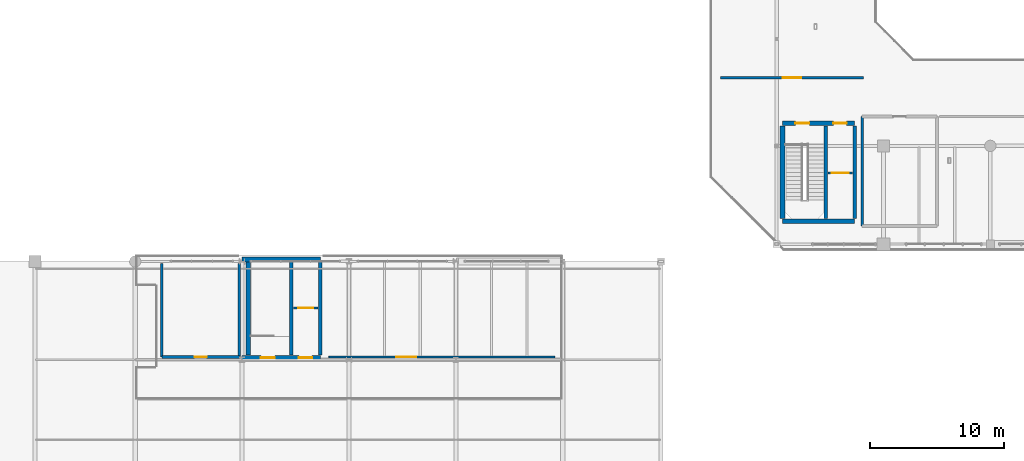
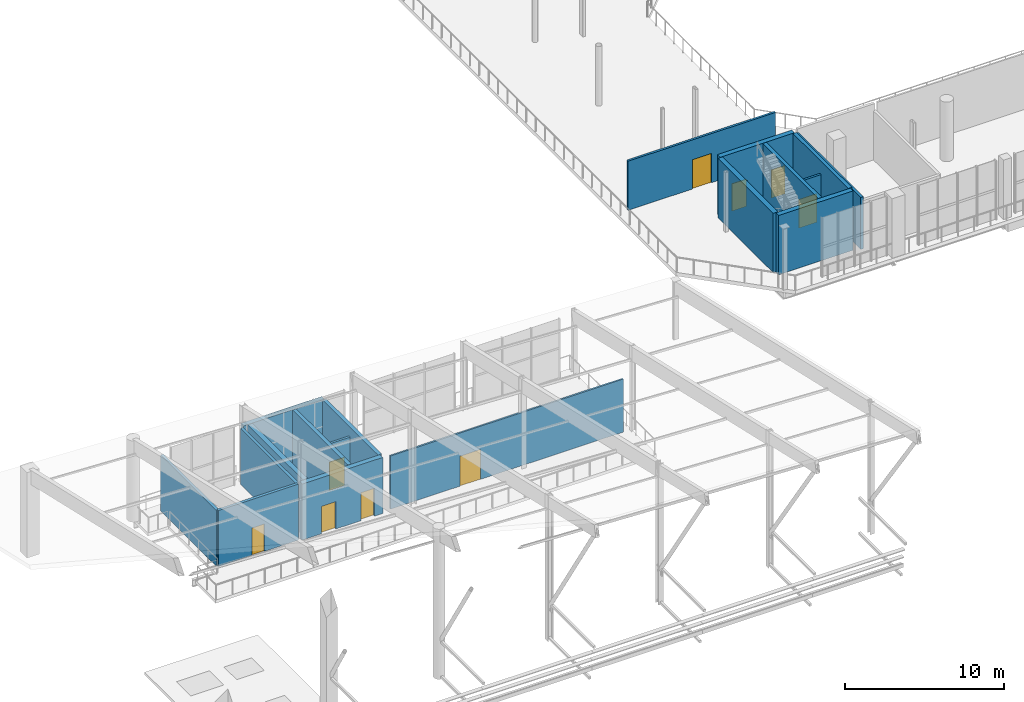
# One storey, part 34 of 51: 18 walls, 9 doors, 9 openings.
"""IFC4 building model written with IfcOpenShell, lengths in metres."""

from ifc_helpers import new_model, si_unit, direction, frame, frame_2d, origin, place, context, subcontext, project, spatial, rectangle, extrude, material, layer, layer_set, type_object, element, fill, save


model = new_model("IFC4")

# Units and contexts
model_context = context("Model", 3, precision=1e-05, world=origin(), true_north=direction((0.0, 1.0)))
body_context = subcontext(model_context, "Body", "Model", "MODEL_VIEW")
ifc_project = project(units=[si_unit("LENGTHUNIT", "METRE"), si_unit("AREAUNIT", "SQUARE_METRE"), si_unit("VOLUMEUNIT", "CUBIC_METRE"), si_unit("PLANEANGLEUNIT", "RADIAN"), si_unit("MASSUNIT", "GRAM", prefix="KILO")], contexts=[model_context])

# Site, building, storey
site_placement = place(None, origin())
site = spatial("IfcSite", under=ifc_project, at=site_placement, CompositionType="ELEMENT")
building_placement = place(site_placement, origin())
building = spatial("IfcBuilding", under=site, at=building_placement, Name="Brisemont Oceanarium", CompositionType="ELEMENT")
storey_placement = place(building_placement, frame((0.0, 0.0, 15.0)))
storey = spatial("IfcBuildingStorey", under=building, at=storey_placement, Name="L03", CompositionType="ELEMENT", Elevation=15.0)

# Wall, opening, door
ifc_material_1 = material(Name="Moisture-Resistant Gypsum Steel-Stud Partition", Category="steel")
ifc_layer_1 = layer(ifc_material_1, 0.159912109375)
ifc_layer_set_1 = layer_set([ifc_layer_1], Name="Moisture-Resistant Gypsum Steel-Stud Partition")
wall_type_1 = type_object("IfcWallType", Name="IW-FB-160", PredefinedType="PARTITIONING", material=ifc_layer_set_1)
wall_1_placement = place(storey_placement, frame((67.85009765625, 37.97998046875, 0.0), z_axis=(0.0, 0.0, 1.0), x_axis=(1.0, 0.0, 0.0)))
wall_1 = element("IfcWall", 1, at=wall_1_placement, inside=storey, type_object=wall_type_1, Name="Core C1 L03 lift hoistway front wall", PredefinedType="PARTITIONING", context=body_context, shape_type="SweptSolid", body=[
    extrude(rectangle(XDim=1.83984375, YDim=0.159912109375, at=frame_2d((0.919921875, 0.0))), origin(), (0.0, 0.0, 1.0), 3.60009765625),
])
opening_1_placement = place(wall_1_placement, frame((0.27001953125, 0.0, 0.0)))
opening_1 = element("IfcOpeningElement", 2, at=opening_1_placement, cuts=wall_1, Name="Opening LD-02", PredefinedType="OPENING", context=body_context, shape_type="SweptSolid", body=[
    extrude(rectangle(XDim=1.300048828125, YDim=2.199951171875, at=frame_2d((0.64990234375, 1.10009765625))), frame((0.0, 0.08984375, 0.0), z_axis=(0.0, -1.0, 0.0), x_axis=(1.0, 0.0, 0.0)), (0.0, 0.0, 1.0), 0.179931640625),
])
ifc_material_2 = material(Name="Duplex Stainless Steel EN 1.4462", Category="steel")
door_type_1 = type_object("IfcDoorType", Name="DR-LIFT-1300X2200", OperationType="NOTDEFINED", PredefinedType="DOOR", material=ifc_material_2)
door_1_placement = place(opening_1_placement, origin())
door_1 = element("IfcDoor", 3, at=door_1_placement, inside=storey, type_object=door_type_1, Name="Lift landing door LF-01 L03", OperationType="SLIDING_TO_LEFT", OverallHeight=2.199951171875, OverallWidth=1.300048828125, PredefinedType="DOOR", context=body_context, shape_type="SweptSolid", body=[
    extrude(rectangle(XDim=1.300048828125, YDim=2.199951171875, at=frame_2d((0.64990234375, 1.10009765625))), frame((0.0, 0.02490234375, 0.0), z_axis=(0.0, -1.0, 0.0), x_axis=(1.0, 0.0, 0.0)), (0.0, 0.0, 1.0), 0.050048828125),
])
fill(opening_1, door_1)

wall_2_placement = place(storey_placement, frame((27.85009765625, 27.8701171875, 0.0), z_axis=(0.0, 0.0, 1.0), x_axis=(1.0, 0.0, 0.0)))
wall_2 = element("IfcWall", 4, at=wall_2_placement, inside=storey, type_object=wall_type_1, Name="Core C3 L03 lift hoistway front wall", PredefinedType="PARTITIONING", context=body_context, shape_type="SweptSolid", body=[
    extrude(rectangle(XDim=1.83984375, YDim=0.159912109375, at=frame_2d((0.919921875, 0.0))), origin(), (0.0, 0.0, 1.0), 3.60009765625),
])
opening_2_placement = place(wall_2_placement, frame((0.3701171875, 0.0, 0.0)))
opening_2 = element("IfcOpeningElement", 5, at=opening_2_placement, cuts=wall_2, Name="Opening LD-01", PredefinedType="OPENING", context=body_context, shape_type="SweptSolid", body=[
    extrude(rectangle(XDim=1.10009765625, YDim=2.14990234375, at=frame_2d((0.550048828125, 1.074951171875))), frame((0.0, 0.08984375, 0.0), z_axis=(0.0, -1.0, 0.0), x_axis=(1.0, 0.0, 0.0)), (0.0, 0.0, 1.0), 0.179931640625),
])
ifc_material_3 = material(Name="Duplex Stainless Steel EN 1.4462", Category="steel")
door_type_2 = type_object("IfcDoorType", Name="DR-LIFT-1100X2150", OperationType="NOTDEFINED", PredefinedType="DOOR", material=ifc_material_3)
door_2_placement = place(opening_2_placement, origin())
door_2 = element("IfcDoor", 6, at=door_2_placement, inside=storey, type_object=door_type_2, Name="Lift landing door LF-03 L03", OperationType="SLIDING_TO_LEFT", OverallHeight=2.14990234375, OverallWidth=1.10009765625, PredefinedType="DOOR", context=body_context, shape_type="SweptSolid", body=[
    extrude(rectangle(XDim=1.10009765625, YDim=2.14990234375, at=frame_2d((0.550048828125, 1.074951171875))), frame((0.0, 0.02490234375, 0.0), z_axis=(0.0, -1.0, 0.0), x_axis=(1.0, 0.0, 0.0)), (0.0, 0.0, 1.0), 0.050048828125),
])
fill(opening_2, door_2)

wall_3_placement = place(storey_placement, frame((59.800048828125, 45.10009765625, 0.0), z_axis=(0.0, 0.0, 1.0), x_axis=(1.0, 0.0, 0.0)))
wall_3 = element("IfcWall", 7, at=wall_3_placement, inside=storey, type_object=wall_type_1, Name="Pacific Flyway Seabird Exhibit Gallery corridor partition", PredefinedType="PARTITIONING", context=body_context, shape_type="SweptSolid", body=[
    extrude(rectangle(XDim=10.699951171875, YDim=0.159912109375, at=frame_2d((5.35009765625, 0.0))), origin(), (0.0, 0.0, 1.0), 3.76708984375),
])
opening_3_placement = place(wall_3_placement, frame((4.659912109375, 0.0, 0.0)))
opening_3 = element("IfcOpeningElement", 8, at=opening_3_placement, cuts=wall_3, Name="Opening PD-01", PredefinedType="OPENING", context=body_context, shape_type="SweptSolid", body=[
    extrude(rectangle(XDim=1.3798828125, YDim=2.25, at=frame_2d((0.68994140625, 1.125))), frame((0.0, 0.08984375, 0.0), z_axis=(0.0, -1.0, 0.0), x_axis=(1.0, 0.0, 0.0)), (0.0, 0.0, 1.0), 0.179931640625),
])
ifc_material_4 = material(Name="Duplex Stainless Steel EN 1.4462", Category="steel")
door_type_3 = type_object("IfcDoorType", Name="DR-PLT-1380X2250", OperationType="NOTDEFINED", PredefinedType="DOOR", material=ifc_material_4)
door_3_placement = place(opening_3_placement, origin())
door_3 = element("IfcDoor", 9, at=door_3_placement, inside=storey, type_object=door_type_3, Name="PD-01 door to Pacific Flyway Seabird Exhibit Gallery", OperationType="SINGLE_SWING_RIGHT", OverallHeight=2.25, OverallWidth=1.3798828125, PredefinedType="DOOR", context=body_context, shape_type="SweptSolid", body=[
    extrude(rectangle(XDim=1.3798828125, YDim=2.25, at=frame_2d((0.68994140625, 1.125))), frame((0.0, 0.02490234375, 0.0), z_axis=(0.0, -1.0, 0.0), x_axis=(1.0, 0.0, 0.0)), (0.0, 0.0, 1.0), 0.050048828125),
])
fill(opening_3, door_3)

ifc_material_5 = material(Name="Moisture-Resistant Gypsum Steel-Stud Partition", Category="steel")
ifc_layer_2 = layer(ifc_material_5, 0.1201171875)
ifc_layer_set_2 = layer_set([ifc_layer_2], Name="Moisture-Resistant Gypsum Steel-Stud Partition")
wall_type_2 = type_object("IfcWallType", Name="IW-PART-120", PredefinedType="PARTITIONING", material=ifc_layer_set_2)
wall_4_placement = place(storey_placement, frame((30.5, 24.199951171875, 0.0), z_axis=(0.0, 0.0, 1.0), x_axis=(1.0, 0.0, 0.0)))
wall_4 = element("IfcWall", 10, at=wall_4_placement, inside=storey, type_object=wall_type_2, Name="Celestial Navigation Clerestory Exhibit Gallery corridor partition", PredefinedType="PARTITIONING", context=body_context, shape_type="SweptSolid", body=[
    extrude(rectangle(XDim=16.89990234375, YDim=0.1201171875, at=frame_2d((8.449951171875, 0.0))), origin(), (0.0, 0.0, 1.0), 4.0703125),
])
opening_4_placement = place(wall_4_placement, frame((5.043212890625, 0.0, 0.0)))
opening_4 = element("IfcOpeningElement", 11, at=opening_4_placement, cuts=wall_4, Name="Opening GD-03", PredefinedType="OPENING", context=body_context, shape_type="SweptSolid", body=[
    extrude(rectangle(XDim=1.5, YDim=2.300048828125, at=frame_2d((0.75, 1.14990234375))), frame((0.0, 0.070068359375, 0.0), z_axis=(0.0, -1.0, 0.0), x_axis=(1.0, 0.0, 0.0)), (0.0, 0.0, 1.0), 0.14013671875),
])
ifc_material_6 = material(Name="Patinated Architectural Bronze C38500")
door_type_4 = type_object("IfcDoorType", Name="DR-GAL-1500X2300", OperationType="NOTDEFINED", PredefinedType="DOOR", material=ifc_material_6)
door_4_placement = place(opening_4_placement, origin())
door_4 = element("IfcDoor", 12, at=door_4_placement, inside=storey, type_object=door_type_4, Name="GD-03 door to Celestial Navigation Clerestory Exhibit Gallery", OperationType="SINGLE_SWING_LEFT", OverallHeight=2.300048828125, OverallWidth=1.5, PredefinedType="DOOR", context=body_context, shape_type="SweptSolid", body=[
    extrude(rectangle(XDim=1.5, YDim=2.300048828125, at=frame_2d((0.75, 1.14990234375))), frame((0.0, 0.02490234375, 0.0), z_axis=(0.0, -1.0, 0.0), x_axis=(1.0, 0.0, 0.0)), (0.0, 0.0, 1.0), 0.050048828125),
])
fill(opening_4, door_4)

# Wall
ifc_material_7 = material(Name="Cementitious Tile-Backer Plumbing Wall")
ifc_layer_3 = layer(ifc_material_7, 0.199951171875)
ifc_layer_set_3 = layer_set([ifc_layer_3], Name="Cementitious Tile-Backer Plumbing Wall")
wall_type_3 = type_object("IfcWallType", Name="IW-PLUMB-200", PredefinedType="PLUMBINGWALL", material=ifc_layer_set_3)
wall_5_placement = place(storey_placement, frame((70.39990234375, 34.0, 0.0), z_axis=(0.0, 0.0, 1.0), x_axis=(0.0, 1.0, 0.0)))
element("IfcWall", 13, at=wall_5_placement, inside=storey, type_object=wall_type_3, Name="Accessible WC enclosure wall W", PredefinedType="PLUMBINGWALL", context=body_context, shape_type="SweptSolid", body=[
    extrude(rectangle(XDim=8.199951171875, YDim=0.199951171875, at=frame_2d((4.10009765625, 0.0))), origin(), (0.0, 0.0, 1.0), 3.987060546875),
])

# Wall, opening, door
wall_6_placement = place(storey_placement, frame((18.0, 24.199951171875, 0.0), z_axis=(0.0, 0.0, 1.0), x_axis=(1.0, 0.0, 0.0)))
wall_6 = element("IfcWall", 14, at=wall_6_placement, inside=storey, type_object=wall_type_3, Name="Accessible WC corridor partition", PredefinedType="PLUMBINGWALL", context=body_context, shape_type="SweptSolid", body=[
    extrude(rectangle(XDim=5.800048828125, YDim=0.199951171875, at=frame_2d((2.89990234375, 0.0))), origin(), (0.0, 0.0, 1.0), 4.2900390625),
])
opening_5_placement = place(wall_6_placement, frame((2.445068359375, 0.0, 0.0)))
opening_5 = element("IfcOpeningElement", 15, at=opening_5_placement, cuts=wall_6, Name="Opening D-03", PredefinedType="OPENING", context=body_context, shape_type="SweptSolid", body=[
    extrude(rectangle(XDim=0.909912109375, YDim=2.10009765625, at=frame_2d((0.455078125, 1.050048828125))), frame((0.0, 0.10986328125, 0.0), z_axis=(0.0, -1.0, 0.0), x_axis=(1.0, 0.0, 0.0)), (0.0, 0.0, 1.0), 0.219970703125),
])
ifc_material_8 = material(Name="FSC White Oak Solid-Core Fire Door")
door_type_5 = type_object("IfcDoorType", Name="DR-WC-910X2100", OperationType="NOTDEFINED", PredefinedType="DOOR", material=ifc_material_8)
door_5_placement = place(opening_5_placement, origin())
door_5 = element("IfcDoor", 16, at=door_5_placement, inside=storey, type_object=door_type_5, Name="D-03 door to Accessible WC", OperationType="SINGLE_SWING_RIGHT", OverallHeight=2.10009765625, OverallWidth=0.909912109375, PredefinedType="DOOR", context=body_context, shape_type="SweptSolid", body=[
    extrude(rectangle(XDim=0.909912109375, YDim=2.10009765625, at=frame_2d((0.455078125, 1.050048828125))), frame((0.0, 0.02490234375, 0.0), z_axis=(0.0, -1.0, 0.0), x_axis=(1.0, 0.0, 0.0)), (0.0, 0.0, 1.0), 0.050048828125),
])
fill(opening_5, door_5)

# Walls
for number, where, z_axis, x_axis, name in (
    (17, (18.0, 24.199951171875, 0.0), (0.0, 0.0, 1.0), (0.0, 1.0, 0.0), "Accessible WC enclosure wall W"),
    (18, (23.800048828125, 24.199951171875, 0.0), (0.0, 0.0, 1.0), (0.0, 1.0, 0.0), "Accessible WC enclosure wall E"),
):
    element("IfcWall", number, at=place(storey_placement, frame(where, z_axis=z_axis, x_axis=x_axis)), inside=storey, type_object=wall_type_3, Name=name, PredefinedType="PLUMBINGWALL", context=body_context, shape_type="SweptSolid", body=[
        extrude(rectangle(XDim=7.0, YDim=0.199951171875, at=frame_2d((3.5, 0.0))), origin(), (0.0, 0.0, 1.0), 4.2900390625),
    ])
ifc_material_9 = material(Name="Concrete C40/50", Category="concrete")
ifc_layer_4 = layer(ifc_material_9, 0.260009765625)
ifc_layer_set_4 = layer_set([ifc_layer_4], Name="Concrete C40/50")
wall_type_4 = type_object("IfcWallType", Name="SW-SHAFT-260", PredefinedType="SHEAR", material=ifc_layer_set_4)
for number, where, z_axis, x_axis, name in (
    (19, (69.85009765625, 34.550048828125, 0.0), (0.0, 0.0, 1.0), (0.0, 1.0, 0.0), "Core C1 L03 E RC shear wall"),
    (20, (67.669921875, 34.550048828125, 0.0), (0.0, 0.0, 1.0), (0.0, 1.0, 0.0), "Core C1 L03 MID RC shear wall"),
):
    element("IfcWall", number, at=place(storey_placement, frame(where, z_axis=z_axis, x_axis=x_axis)), inside=storey, type_object=wall_type_4, Name=name, PredefinedType="SHEAR", context=body_context, shape_type="SweptSolid", body=[
        extrude(rectangle(XDim=6.949951171875, YDim=0.260009765625, at=frame_2d((3.47509765625, 0.0))), origin(), (0.0, 0.0, 1.0), 4.550048828125),
    ])
for number, where, z_axis, x_axis, name in (
    (21, (29.85009765625, 24.35009765625, 0.0), (0.0, 0.0, 1.0), (0.0, 1.0, 0.0), "Core C3 L03 E RC shear wall"),
    (22, (27.669921875, 24.35009765625, 0.0), (0.0, 0.0, 1.0), (0.0, 1.0, 0.0), "Core C3 L03 MID RC shear wall"),
):
    element("IfcWall", number, at=place(storey_placement, frame(where, z_axis=z_axis, x_axis=x_axis)), inside=storey, type_object=wall_type_4, Name=name, PredefinedType="SHEAR", context=body_context, shape_type="SweptSolid", body=[
        extrude(rectangle(XDim=6.949951171875, YDim=0.260009765625, at=frame_2d((3.47509765625, 0.0))), origin(), (0.0, 0.0, 1.0), 4.300048828125),
    ])

# Wall, openings, doors
ifc_material_10 = material(Name="Concrete C40/50", Category="concrete")
ifc_layer_5 = layer(ifc_material_10, 0.35009765625)
ifc_layer_set_5 = layer_set([ifc_layer_5], Name="Concrete C40/50")
wall_type_5 = type_object("IfcWallType", Name="SW-STAIR-350", PredefinedType="SHEAR", material=ifc_layer_set_5)
wall_7_placement = place(storey_placement, frame((64.449951171875, 41.699951171875, 0.0), z_axis=(0.0, 0.0, 1.0), x_axis=(1.0, 0.0, 0.0)))
wall_7 = element("IfcWall", 23, at=wall_7_placement, inside=storey, type_object=wall_type_5, Name="Core C1 L03 corridor RC shear wall", PredefinedType="SHEAR", context=body_context, shape_type="SweptSolid", body=[
    extrude(rectangle(XDim=5.400146484375, YDim=0.35009765625, at=frame_2d((2.7001953125, 0.0))), origin(), (0.0, 0.0, 1.0), 4.550048828125),
])
opening_6_placement = place(wall_7_placement, frame((0.949951171875, 0.0, 0.0)))
opening_6 = element("IfcOpeningElement", 24, at=opening_6_placement, cuts=wall_7, Name="Opening SD-02", PredefinedType="OPENING", context=body_context, shape_type="SweptSolid", body=[
    extrude(rectangle(XDim=1.050048828125, YDim=2.10009765625, at=frame_2d((0.52490234375, 1.050048828125))), frame((0.0, 0.18505859375, 0.0), z_axis=(0.0, -1.0, 0.0), x_axis=(1.0, 0.0, 0.0)), (0.0, 0.0, 1.0), 0.3701171875),
])
opening_7_placement = place(wall_7_placement, frame((3.800048828125, 0.0, 0.0)))
opening_7 = element("IfcOpeningElement", 25, at=opening_7_placement, cuts=wall_7, Name="Opening FD90-2", PredefinedType="OPENING", context=body_context, shape_type="SweptSolid", body=[
    extrude(rectangle(XDim=1.0, YDim=2.14990234375, at=frame_2d((0.5, 1.074951171875))), frame((0.0, 0.18505859375, 0.0), z_axis=(0.0, -1.0, 0.0), x_axis=(1.0, 0.0, 0.0)), (0.0, 0.0, 1.0), 0.3701171875),
])
ifc_material_11 = material(Name="FSC White Oak Solid-Core Fire Door")
door_type_6 = type_object("IfcDoorType", Name="DR-LOB-1000X2150", OperationType="NOTDEFINED", PredefinedType="DOOR", material=ifc_material_11)
door_6_placement = place(opening_7_placement, origin())
door_6 = element("IfcDoor", 26, at=door_6_placement, inside=storey, type_object=door_type_6, Name="Lift lobby door C1 L03", OperationType="SINGLE_SWING_RIGHT", OverallHeight=2.14990234375, OverallWidth=1.0, PredefinedType="DOOR", context=body_context, shape_type="SweptSolid", body=[
    extrude(rectangle(XDim=1.0, YDim=2.14990234375, at=frame_2d((0.5, 1.074951171875))), frame((0.0, 0.02490234375, 0.0), z_axis=(0.0, -1.0, 0.0), x_axis=(1.0, 0.0, 0.0)), (0.0, 0.0, 1.0), 0.050048828125),
])
fill(opening_7, door_6)
ifc_material_12 = material(Name="Duplex Stainless Steel EN 1.4462", Category="steel")
door_type_7 = type_object("IfcDoorType", Name="DR-STAIR-1050X2100", OperationType="NOTDEFINED", PredefinedType="DOOR", material=ifc_material_12)
door_7_placement = place(opening_6_placement, origin())
door_7 = element("IfcDoor", 27, at=door_7_placement, inside=storey, type_object=door_type_7, Name="Exit stair door ST-01 L03", OperationType="SINGLE_SWING_LEFT", OverallHeight=2.10009765625, OverallWidth=1.050048828125, PredefinedType="DOOR", context=body_context, shape_type="SweptSolid", body=[
    extrude(rectangle(XDim=1.050048828125, YDim=2.10009765625, at=frame_2d((0.52490234375, 1.050048828125))), frame((0.0, 0.02490234375, 0.0), z_axis=(0.0, -1.0, 0.0), x_axis=(1.0, 0.0, 0.0)), (0.0, 0.0, 1.0), 0.050048828125),
])
fill(opening_6, door_7)

# Walls
wall_8_placement = place(storey_placement, frame((64.449951171875, 34.35009765625, 0.0), z_axis=(0.0, 0.0, 1.0), x_axis=(1.0, 0.0, 0.0)))
element("IfcWall", 28, at=wall_8_placement, inside=storey, type_object=wall_type_5, Name="Core C1 L03 BCK RC shear wall", PredefinedType="SHEAR", context=body_context, shape_type="SweptSolid", body=[
    extrude(rectangle(XDim=5.400146484375, YDim=0.35009765625, at=frame_2d((2.7001953125, 0.0))), origin(), (0.0, 0.0, 1.0), 4.550048828125),
])
wall_9_placement = place(storey_placement, frame((64.449951171875, 34.550048828125, 0.0), z_axis=(0.0, 0.0, 1.0), x_axis=(0.0, 1.0, 0.0)))
element("IfcWall", 29, at=wall_9_placement, inside=storey, type_object=wall_type_5, Name="Core C1 L03 W RC shear wall", PredefinedType="SHEAR", context=body_context, shape_type="SweptSolid", body=[
    extrude(rectangle(XDim=6.949951171875, YDim=0.35009765625, at=frame_2d((3.47509765625, 0.0))), origin(), (0.0, 0.0, 1.0), 4.550048828125),
])

# Wall, openings, doors
wall_10_placement = place(storey_placement, frame((24.0, 24.14990234375, 0.0), z_axis=(0.0, 0.0, 1.0), x_axis=(1.0, 0.0, 0.0)))
wall_10 = element("IfcWall", 30, at=wall_10_placement, inside=storey, type_object=wall_type_5, Name="Core C3 L03 corridor RC shear wall", PredefinedType="SHEAR", context=body_context, shape_type="SweptSolid", body=[
    extrude(rectangle(XDim=5.85009765625, YDim=0.35009765625, at=frame_2d((2.925048828125, 0.0))), origin(), (0.0, 0.0, 1.0), 4.300048828125),
])
opening_8_placement = place(wall_10_placement, frame((1.39990234375, 0.0, 0.0)))
opening_8 = element("IfcOpeningElement", 31, at=opening_8_placement, cuts=wall_10, Name="Opening SD-02", PredefinedType="OPENING", context=body_context, shape_type="SweptSolid", body=[
    extrude(rectangle(XDim=1.050048828125, YDim=2.10009765625, at=frame_2d((0.52490234375, 1.050048828125))), frame((0.0, 0.18505859375, 0.0), z_axis=(0.0, -1.0, 0.0), x_axis=(1.0, 0.0, 0.0)), (0.0, 0.0, 1.0), 0.3701171875),
])
opening_9_placement = place(wall_10_placement, frame((4.25, 0.0, 0.0)))
opening_9 = element("IfcOpeningElement", 32, at=opening_9_placement, cuts=wall_10, Name="Opening FD90-2", PredefinedType="OPENING", context=body_context, shape_type="SweptSolid", body=[
    extrude(rectangle(XDim=1.0, YDim=2.14990234375, at=frame_2d((0.5, 1.074951171875))), frame((0.0, 0.18505859375, 0.0), z_axis=(0.0, -1.0, 0.0), x_axis=(1.0, 0.0, 0.0)), (0.0, 0.0, 1.0), 0.3701171875),
])
door_8_placement = place(opening_9_placement, origin())
door_8 = element("IfcDoor", 33, at=door_8_placement, inside=storey, type_object=door_type_6, Name="Lift lobby door C3 L03", OperationType="SINGLE_SWING_LEFT", OverallHeight=2.14990234375, OverallWidth=1.0, PredefinedType="DOOR", context=body_context, shape_type="SweptSolid", body=[
    extrude(rectangle(XDim=1.0, YDim=2.14990234375, at=frame_2d((0.5, 1.074951171875))), frame((0.0, 0.02490234375, 0.0), z_axis=(0.0, -1.0, 0.0), x_axis=(1.0, 0.0, 0.0)), (0.0, 0.0, 1.0), 0.050048828125),
])
fill(opening_9, door_8)
door_9_placement = place(opening_8_placement, origin())
door_9 = element("IfcDoor", 34, at=door_9_placement, inside=storey, type_object=door_type_7, Name="Exit stair door ST-03 L03", OperationType="SINGLE_SWING_RIGHT", OverallHeight=2.10009765625, OverallWidth=1.050048828125, PredefinedType="DOOR", context=body_context, shape_type="SweptSolid", body=[
    extrude(rectangle(XDim=1.050048828125, YDim=2.10009765625, at=frame_2d((0.52490234375, 1.050048828125))), frame((0.0, 0.02490234375, 0.0), z_axis=(0.0, -1.0, 0.0), x_axis=(1.0, 0.0, 0.0)), (0.0, 0.0, 1.0), 0.050048828125),
])
fill(opening_8, door_9)

# Walls
wall_11_placement = place(storey_placement, frame((24.0, 31.5, 0.0), z_axis=(0.0, 0.0, 1.0), x_axis=(1.0, 0.0, 0.0)))
element("IfcWall", 35, at=wall_11_placement, inside=storey, type_object=wall_type_5, Name="Core C3 L03 BCK RC shear wall", PredefinedType="SHEAR", context=body_context, shape_type="SweptSolid", body=[
    extrude(rectangle(XDim=5.85009765625, YDim=0.35009765625, at=frame_2d((2.925048828125, 0.0))), origin(), (0.0, 0.0, 1.0), 4.300048828125),
])
wall_12_placement = place(storey_placement, frame((24.449951171875, 24.35009765625, 0.0), z_axis=(0.0, 0.0, 1.0), x_axis=(0.0, 1.0, 0.0)))
element("IfcWall", 36, at=wall_12_placement, inside=storey, type_object=wall_type_5, Name="Core C3 L03 W RC shear wall", PredefinedType="SHEAR", context=body_context, shape_type="SweptSolid", body=[
    extrude(rectangle(XDim=6.949951171875, YDim=0.35009765625, at=frame_2d((3.47509765625, 0.0))), origin(), (0.0, 0.0, 1.0), 4.300048828125),
])

save(model, "model.ifc")
